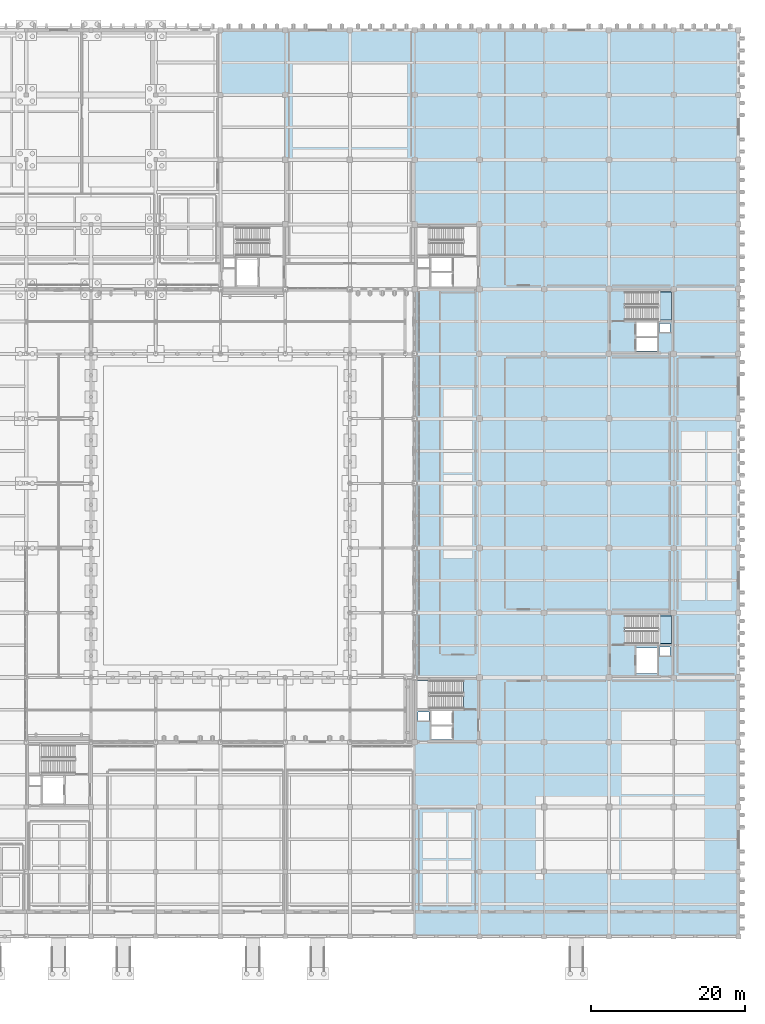
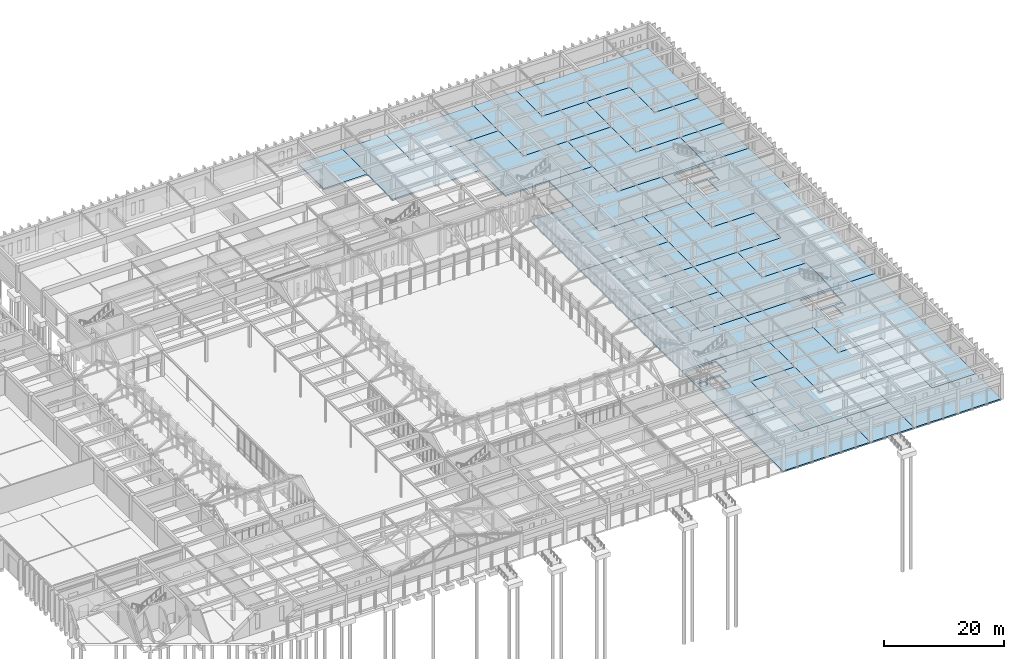
# One storey, part 79 of 143: 27 slabs, 2 elements without a shape of their own.
"""IFC4 building model written with IfcOpenShell, lengths in metres."""

from ifc_helpers import new_model, si_unit, direction, frame, origin, place, context, subcontext, project, spatial, polyline, outline, extrude, material, layer, layer_set, type_object, element, aggregate, save


model = new_model("IFC4")

# Units and contexts
model_context = context("Model", 3, precision=1e-05, world=origin(), true_north=direction((0.0, 1.0)))
body_context = subcontext(model_context, "Body", "Model", "MODEL_VIEW")
ifc_project = project(units=[si_unit("LENGTHUNIT", "METRE"), si_unit("AREAUNIT", "SQUARE_METRE"), si_unit("VOLUMEUNIT", "CUBIC_METRE"), si_unit("PLANEANGLEUNIT", "RADIAN"), si_unit("MASSUNIT", "GRAM", prefix="KILO")], contexts=[model_context])

# Site, building, storey
site_placement = place(None, origin())
site = spatial("IfcSite", under=ifc_project, at=site_placement, CompositionType="ELEMENT")
building_placement = place(site_placement, origin())
building = spatial("IfcBuilding", under=site, at=building_placement, Name="Kveldsbrygga Polytechnic", CompositionType="ELEMENT")
storey_placement = place(building_placement, origin())
storey = spatial("IfcBuildingStorey", under=building, at=storey_placement, Name="L00", CompositionType="ELEMENT", Elevation=0.0)

# Slabs
ifc_material = material(Name="Concrete C35/45", Category="concrete")
ifc_layer_1 = layer(ifc_material, 0.300048828125)
ifc_layer_set_1 = layer_set([ifc_layer_1], Name="Concrete C35/45")
slab_type_1 = type_object("IfcSlabType", Name="SLB-LAB-300", PredefinedType="FLOOR", material=ifc_layer_set_1)
slab_1_placement = place(storey_placement, frame((0.0, 0.0, -0.300048828125)))
element("IfcSlab", 1, at=slab_1_placement, inside=storey, type_object=slab_type_1, Name="Slab SLB-L00-V4-L02-1", PredefinedType="FLOOR", context=body_context, shape_type="SweptSolid", body=[
    extrude(outline(polyline([(109.199951171875, 100.800048828125), (109.199951171875, 109.199951171875), (109.199951171875, 117.60009765625), (117.60009765625, 117.60009765625), (117.60009765625, 109.199951171875), (126.0, 109.199951171875), (126.0, 100.800048828125), (117.60009765625, 100.800048828125), (109.199951171875, 100.800048828125)])), origin(), (0.0, 0.0, 1.0), 0.300048828125),
])
slab_2_placement = place(storey_placement, frame((0.0, 0.0, -0.300048828125)))
element("IfcSlab", 2, at=slab_2_placement, inside=storey, type_object=slab_type_1, Name="Slab SLB-L00-V4-L03-1", PredefinedType="FLOOR", context=body_context, shape_type="SweptSolid", body=[
    extrude(outline(polyline([(126.0, 0.0), (126.0, 8.39990234375), (126.0, 16.800048828125), (134.39990234375, 16.800048828125), (134.39990234375, 8.39990234375), (142.800048828125, 8.39990234375), (142.800048828125, 0.0), (134.39990234375, 0.0), (126.0, 0.0)])), origin(), (0.0, 0.0, 1.0), 0.300048828125),
])
slab_3_placement = place(storey_placement, frame((0.0, 0.0, -0.300048828125)))
element("IfcSlab", 3, at=slab_3_placement, inside=storey, type_object=slab_type_1, Name="Slab SLB-L00-V4-L04-1", PredefinedType="FLOOR", context=body_context, shape_type="SweptSolid", body=[
    extrude(outline(polyline([(126.0, 33.60009765625), (126.0, 42.0), (126.0, 50.39990234375), (134.39990234375, 50.39990234375), (134.39990234375, 42.0), (142.800048828125, 42.0), (142.800048828125, 33.60009765625), (134.39990234375, 33.60009765625), (126.0, 33.60009765625)])), origin(), (0.0, 0.0, 1.0), 0.300048828125),
])
slab_4_placement = place(storey_placement, frame((0.0, 0.0, -0.300048828125)))
element("IfcSlab", 4, at=slab_4_placement, inside=storey, type_object=slab_type_1, Name="Slab SLB-L00-V4-L05-1", PredefinedType="FLOOR", context=body_context, shape_type="SweptSolid", body=[
    extrude(outline(polyline([(126.0, 50.39990234375), (126.0, 58.800048828125), (126.0, 67.199951171875), (134.39990234375, 67.199951171875), (134.39990234375, 58.800048828125), (142.800048828125, 58.800048828125), (142.800048828125, 50.39990234375), (134.39990234375, 50.39990234375), (126.0, 50.39990234375)])), origin(), (0.0, 0.0, 1.0), 0.300048828125),
])
slab_5_placement = place(storey_placement, frame((0.0, 0.0, -0.300048828125)))
element("IfcSlab", 5, at=slab_5_placement, inside=storey, type_object=slab_type_1, Name="Slab SLB-L00-V4-L06-1", PredefinedType="FLOOR", context=body_context, shape_type="SweptSolid", body=[
    extrude(outline(polyline([(126.0, 67.199951171875), (126.0, 75.60009765625), (126.0, 84.0), (134.39990234375, 84.0), (134.39990234375, 75.60009765625), (142.800048828125, 75.60009765625), (142.800048828125, 67.199951171875), (134.39990234375, 67.199951171875), (126.0, 67.199951171875)])), origin(), (0.0, 0.0, 1.0), 0.300048828125),
])
slab_6_placement = place(storey_placement, frame((0.0, 0.0, -0.300048828125)))
element("IfcSlab", 6, at=slab_6_placement, inside=storey, type_object=slab_type_1, Name="Slab SLB-L00-V4-L07-1", PredefinedType="FLOOR", context=body_context, shape_type="SweptSolid", body=[
    extrude(outline(polyline([(126.0, 92.39990234375), (126.0, 100.800048828125), (126.0, 109.199951171875), (134.39990234375, 109.199951171875), (134.39990234375, 100.800048828125), (142.800048828125, 100.800048828125), (142.800048828125, 92.39990234375), (134.39990234375, 92.39990234375), (126.0, 92.39990234375)])), origin(), (0.0, 0.0, 1.0), 0.300048828125),
])
slab_7_placement = place(storey_placement, frame((0.0, 0.0, -0.300048828125)))
element("IfcSlab", 7, at=slab_7_placement, inside=storey, type_object=slab_type_1, Name="Slab SLB-L00-V4-L08-1", PredefinedType="FLOOR", context=body_context, shape_type="SweptSolid", body=[
    extrude(outline(polyline([(134.39990234375, 8.39990234375), (134.39990234375, 16.800048828125), (134.39990234375, 25.199951171875), (142.800048828125, 25.199951171875), (142.800048828125, 16.800048828125), (151.199951171875, 16.800048828125), (151.199951171875, 8.39990234375), (142.800048828125, 8.39990234375), (134.39990234375, 8.39990234375)])), origin(), (0.0, 0.0, 1.0), 0.300048828125),
])
slab_8_placement = place(storey_placement, frame((0.0, 0.0, -0.300048828125)))
element("IfcSlab", 8, at=slab_8_placement, inside=storey, type_object=slab_type_1, Name="Slab SLB-L00-V4-L09-1", PredefinedType="FLOOR", context=body_context, shape_type="SweptSolid", body=[
    extrude(outline(polyline([(134.39990234375, 75.60009765625), (134.39990234375, 84.0), (134.39990234375, 92.39990234375), (142.800048828125, 92.39990234375), (142.800048828125, 84.0), (151.199951171875, 84.0), (151.199951171875, 75.60009765625), (142.800048828125, 75.60009765625), (134.39990234375, 75.60009765625)])), origin(), (0.0, 0.0, 1.0), 0.300048828125),
])
slab_9_placement = place(storey_placement, frame((0.0, 0.0, -0.300048828125)))
element("IfcSlab", 9, at=slab_9_placement, inside=storey, type_object=slab_type_1, Name="Slab SLB-L00-V4-L10-1", PredefinedType="FLOOR", context=body_context, shape_type="SweptSolid", body=[
    extrude(outline(polyline([(134.39990234375, 100.800048828125), (134.39990234375, 109.199951171875), (134.39990234375, 117.60009765625), (142.800048828125, 117.60009765625), (142.800048828125, 109.199951171875), (151.199951171875, 109.199951171875), (151.199951171875, 100.800048828125), (142.800048828125, 100.800048828125), (134.39990234375, 100.800048828125)])), origin(), (0.0, 0.0, 1.0), 0.300048828125),
])
slab_10_placement = place(storey_placement, frame((0.0, 0.0, -0.300048828125)))
element("IfcSlab", 10, at=slab_10_placement, inside=storey, type_object=slab_type_1, Name="Slab SLB-L00-V4-L11-1", PredefinedType="FLOOR", context=body_context, shape_type="SweptSolid", body=[
    extrude(outline(polyline([(142.800048828125, 16.800048828125), (142.800048828125, 25.199951171875), (142.800048828125, 33.60009765625), (151.199951171875, 33.60009765625), (151.199951171875, 25.199951171875), (159.60009765625, 25.199951171875), (159.60009765625, 16.800048828125), (151.199951171875, 16.800048828125), (142.800048828125, 16.800048828125)])), origin(), (0.0, 0.0, 1.0), 0.300048828125),
])
slab_11_placement = place(storey_placement, frame((0.0, 0.0, -0.300048828125)))
element("IfcSlab", 11, at=slab_11_placement, inside=storey, type_object=slab_type_1, Name="Slab SLB-L00-V4-L12-1", PredefinedType="FLOOR", context=body_context, shape_type="SweptSolid", body=[
    extrude(outline(polyline([(142.800048828125, 42.0), (142.800048828125, 50.39990234375), (142.800048828125, 58.800048828125), (151.199951171875, 58.800048828125), (151.199951171875, 50.39990234375), (159.60009765625, 50.39990234375), (159.60009765625, 42.0), (151.199951171875, 42.0), (142.800048828125, 42.0)])), origin(), (0.0, 0.0, 1.0), 0.300048828125),
])
slab_12_placement = place(storey_placement, frame((0.0, 0.0, -0.300048828125)))
element("IfcSlab", 12, at=slab_12_placement, inside=storey, type_object=slab_type_1, Name="Slab SLB-L00-V4-L13-1", PredefinedType="FLOOR", context=body_context, shape_type="SweptSolid", body=[
    extrude(outline(polyline([(142.800048828125, 58.800048828125), (142.800048828125, 67.199951171875), (142.800048828125, 75.60009765625), (151.199951171875, 75.60009765625), (151.199951171875, 67.199951171875), (159.60009765625, 67.199951171875), (159.60009765625, 58.800048828125), (151.199951171875, 58.800048828125), (142.800048828125, 58.800048828125)])), origin(), (0.0, 0.0, 1.0), 0.300048828125),
])
slab_13_placement = place(storey_placement, frame((0.0, 0.0, -0.300048828125)))
element("IfcSlab", 13, at=slab_13_placement, inside=storey, type_object=slab_type_1, Name="Slab SLB-L00-V4-L14-1", PredefinedType="FLOOR", context=body_context, shape_type="SweptSolid", body=[
    extrude(outline(polyline([(142.800048828125, 84.0), (142.800048828125, 92.39990234375), (142.800048828125, 100.800048828125), (151.199951171875, 100.800048828125), (151.199951171875, 92.39990234375), (159.60009765625, 92.39990234375), (159.60009765625, 84.0), (151.199951171875, 84.0), (142.800048828125, 84.0)])), origin(), (0.0, 0.0, 1.0), 0.300048828125),
])
slab_14_placement = place(storey_placement, frame((0.0, 0.0, -0.300048828125)))
element("IfcSlab", 14, at=slab_14_placement, inside=storey, type_object=slab_type_1, Name="Slab SLB-L00-V4-L15-1", PredefinedType="FLOOR", context=body_context, shape_type="SweptSolid", body=[
    extrude(outline(polyline([(151.199951171875, 0.0), (151.199951171875, 8.39990234375), (151.199951171875, 16.800048828125), (159.60009765625, 16.800048828125), (159.60009765625, 8.39990234375), (168.0, 8.39990234375), (168.0, 0.0), (159.60009765625, 0.0), (151.199951171875, 0.0)])), origin(), (0.0, 0.0, 1.0), 0.300048828125),
])
slab_15_placement = place(storey_placement, frame((0.0, 0.0, -0.300048828125)))
element("IfcSlab", 15, at=slab_15_placement, inside=storey, type_object=slab_type_1, Name="Slab SLB-L00-V4-L16-1", PredefinedType="FLOOR", context=body_context, shape_type="SweptSolid", body=[
    extrude(outline(polyline([(151.199951171875, 92.39990234375), (151.199951171875, 100.800048828125), (151.199951171875, 109.199951171875), (159.60009765625, 109.199951171875), (159.60009765625, 100.800048828125), (168.0, 100.800048828125), (168.0, 92.39990234375), (159.60009765625, 92.39990234375), (151.199951171875, 92.39990234375)])), origin(), (0.0, 0.0, 1.0), 0.300048828125),
])
slab_16_placement = place(storey_placement, frame((0.0, 0.0, -0.300048828125)))
element("IfcSlab", 16, at=slab_16_placement, inside=storey, type_object=slab_type_1, Name="Slab SLB-L00-V4-Z3-1", PredefinedType="FLOOR", context=body_context, shape_type="SweptSolid", body=[
    extrude(outline(polyline([(151.199951171875, 8.39990234375), (151.199951171875, 0.0), (142.800048828125, 0.0), (142.800048828125, 8.39990234375), (151.199951171875, 8.39990234375)])), origin(), (0.0, 0.0, 1.0), 0.300048828125),
])
slab_17_placement = place(storey_placement, frame((0.0, 0.0, -0.300048828125)))
element("IfcSlab", 17, at=slab_17_placement, inside=storey, type_object=slab_type_1, Name="Slab SLB-L00-V4-Z3-2", PredefinedType="FLOOR", context=body_context, shape_type="SweptSolid", body=[
    extrude(outline(polyline([(126.0, 33.60009765625), (134.39990234375, 33.60009765625), (142.800048828125, 33.60009765625), (142.800048828125, 25.199951171875), (134.39990234375, 25.199951171875), (134.39990234375, 16.800048828125), (126.0, 16.800048828125), (126.0, 25.199951171875), (126.0, 33.60009765625)]), holes=[polyline([(132.324951171875, 33.199951171875), (126.300048828125, 33.199951171875), (126.300048828125, 29.60009765625), (132.324951171875, 29.60009765625), (132.324951171875, 33.199951171875)]), polyline([(128.14990234375, 25.550048828125), (130.85009765625, 25.550048828125), (130.85009765625, 29.25), (128.14990234375, 29.25), (128.14990234375, 25.550048828125)]), polyline([(126.449951171875, 28.050048828125), (127.85009765625, 28.050048828125), (127.85009765625, 29.14990234375), (126.449951171875, 29.14990234375), (126.449951171875, 28.050048828125)])]), origin(), (0.0, 0.0, 1.0), 0.300048828125),
])
slab_18_placement = place(storey_placement, frame((0.0, 0.0, -0.300048828125)))
element("IfcSlab", 18, at=slab_18_placement, inside=storey, type_object=slab_type_1, Name="Slab SLB-L00-V4-Z3-3", PredefinedType="FLOOR", context=body_context, shape_type="SweptSolid", body=[
    extrude(outline(polyline([(151.199951171875, 25.199951171875), (151.199951171875, 33.60009765625), (142.800048828125, 33.60009765625), (142.800048828125, 42.0), (151.199951171875, 42.0), (159.60009765625, 42.0), (168.0, 42.0), (168.0, 33.60009765625), (168.0, 25.199951171875), (168.0, 16.800048828125), (168.0, 8.39990234375), (159.60009765625, 8.39990234375), (159.60009765625, 16.800048828125), (159.60009765625, 25.199951171875), (151.199951171875, 25.199951171875)]), holes=[polyline([(153.27490234375, 38.0), (159.300048828125, 38.0), (159.300048828125, 41.60009765625), (153.27490234375, 41.60009765625), (153.27490234375, 38.0)]), polyline([(154.75, 34.14990234375), (157.449951171875, 34.14990234375), (157.449951171875, 37.449951171875), (154.75, 37.449951171875), (154.75, 34.14990234375)]), polyline([(157.75, 36.449951171875), (159.14990234375, 36.449951171875), (159.14990234375, 37.550048828125), (157.75, 37.550048828125), (157.75, 36.449951171875)])]), origin(), (0.0, 0.0, 1.0), 0.300048828125),
])
slab_19_placement = place(storey_placement, frame((0.0, 0.0, -0.300048828125)))
element("IfcSlab", 19, at=slab_19_placement, inside=storey, type_object=slab_type_1, Name="Slab SLB-L00-V4-Z6-1", PredefinedType="FLOOR", context=body_context, shape_type="SweptSolid", body=[
    extrude(outline(polyline([(142.800048828125, 50.39990234375), (142.800048828125, 42.0), (134.39990234375, 42.0), (134.39990234375, 50.39990234375), (142.800048828125, 50.39990234375)])), origin(), (0.0, 0.0, 1.0), 0.300048828125),
])
slab_20_placement = place(storey_placement, frame((0.0, 0.0, -0.300048828125)))
element("IfcSlab", 20, at=slab_20_placement, inside=storey, type_object=slab_type_1, Name="Slab SLB-L00-V4-Z6-2", PredefinedType="FLOOR", context=body_context, shape_type="SweptSolid", body=[
    extrude(outline(polyline([(151.199951171875, 50.39990234375), (151.199951171875, 58.800048828125), (159.60009765625, 58.800048828125), (159.60009765625, 67.199951171875), (151.199951171875, 67.199951171875), (151.199951171875, 75.60009765625), (151.199951171875, 84.0), (159.60009765625, 84.0), (168.0, 84.0), (168.0, 75.60009765625), (168.0, 67.199951171875), (168.0, 58.800048828125), (168.0, 50.39990234375), (168.0, 42.0), (159.60009765625, 42.0), (159.60009765625, 50.39990234375), (151.199951171875, 50.39990234375)]), holes=[polyline([(153.27490234375, 80.0), (159.300048828125, 80.0), (159.300048828125, 83.60009765625), (153.27490234375, 83.60009765625), (153.27490234375, 80.0)]), polyline([(154.75, 75.949951171875), (157.449951171875, 75.949951171875), (157.449951171875, 79.64990234375), (154.75, 79.64990234375), (154.75, 75.949951171875)]), polyline([(157.75, 78.449951171875), (159.14990234375, 78.449951171875), (159.14990234375, 79.550048828125), (157.75, 79.550048828125), (157.75, 78.449951171875)])]), origin(), (0.0, 0.0, 1.0), 0.300048828125),
])
slab_21_placement = place(storey_placement, frame((0.0, 0.0, -0.300048828125)))
element("IfcSlab", 21, at=slab_21_placement, inside=storey, type_object=slab_type_1, Name="Slab SLB-L00-V4-Z6-3", PredefinedType="FLOOR", context=body_context, shape_type="SweptSolid", body=[
    extrude(outline(polyline([(142.800048828125, 58.800048828125), (134.39990234375, 58.800048828125), (134.39990234375, 67.199951171875), (142.800048828125, 67.199951171875), (142.800048828125, 58.800048828125)])), origin(), (0.0, 0.0, 1.0), 0.300048828125),
])
slab_22_placement = place(storey_placement, frame((0.0, 0.0, -0.300048828125)))
element("IfcSlab", 22, at=slab_22_placement, inside=storey, type_object=slab_type_1, Name="Slab SLB-L00-V4-Z8-2", PredefinedType="FLOOR", context=body_context, shape_type="SweptSolid", body=[
    extrude(outline(polyline([(100.800048828125, 117.60009765625), (109.199951171875, 117.60009765625), (109.199951171875, 109.199951171875), (100.800048828125, 109.199951171875), (100.800048828125, 117.60009765625)])), origin(), (0.0, 0.0, 1.0), 0.300048828125),
])
slab_23_placement = place(storey_placement, frame((0.0, 0.0, -0.300048828125)))
element("IfcSlab", 23, at=slab_23_placement, inside=storey, type_object=slab_type_1, Name="Slab SLB-L00-V4-Z9-2", PredefinedType="FLOOR", context=body_context, shape_type="SweptSolid", body=[
    extrude(outline(polyline([(168.0, 92.39990234375), (168.0, 84.0), (159.60009765625, 84.0), (159.60009765625, 92.39990234375), (168.0, 92.39990234375)])), origin(), (0.0, 0.0, 1.0), 0.300048828125),
])
slab_24_placement = place(storey_placement, frame((0.0, 0.0, -0.300048828125)))
element("IfcSlab", 24, at=slab_24_placement, inside=storey, type_object=slab_type_1, Name="Slab SLB-L00-V4-Z9-3", PredefinedType="FLOOR", context=body_context, shape_type="SweptSolid", body=[
    extrude(outline(polyline([(168.0, 100.800048828125), (159.60009765625, 100.800048828125), (159.60009765625, 109.199951171875), (151.199951171875, 109.199951171875), (142.800048828125, 109.199951171875), (142.800048828125, 117.60009765625), (151.199951171875, 117.60009765625), (159.60009765625, 117.60009765625), (168.0, 117.60009765625), (168.0, 109.199951171875), (168.0, 100.800048828125)])), origin(), (0.0, 0.0, 1.0), 0.300048828125),
])
slab_25_placement = place(storey_placement, frame((0.0, 0.0, -0.300048828125)))
element("IfcSlab", 25, at=slab_25_placement, inside=storey, type_object=slab_type_1, Name="Slab SLB-L00-V4-Z9-4", PredefinedType="FLOOR", context=body_context, shape_type="SweptSolid", body=[
    extrude(outline(polyline([(126.0, 117.60009765625), (134.39990234375, 117.60009765625), (134.39990234375, 109.199951171875), (126.0, 109.199951171875), (117.60009765625, 109.199951171875), (117.60009765625, 117.60009765625), (126.0, 117.60009765625)])), origin(), (0.0, 0.0, 1.0), 0.300048828125),
])

# Stair, slab
stair_type = type_object("IfcStairType", Name="STR-CORE-544", PredefinedType="HALF_TURN_STAIR", material=ifc_material)
stair_1_placement = place(storey_placement, origin())
stair_1 = element("IfcStair", 26, at=stair_1_placement, inside=storey, type_object=stair_type, Name="L00 Core C3 Escape Stair ST-3", PredefinedType="HALF_TURN_STAIR")
ifc_layer_2 = layer(ifc_material, 0.199951171875)
ifc_layer_set_2 = layer_set([ifc_layer_2], Name="Concrete C35/45")
slab_type_2 = type_object("IfcSlabType", Name="SLB-LANDING-200", PredefinedType="LANDING", material=ifc_layer_set_2)
slab_26_placement = place(storey_placement, frame((0.0, 0.0, 2.52001953125)))
slab_26 = element("IfcSlab", 27, at=slab_26_placement, type_object=slab_type_2, Name="ST-3 landing 1", PredefinedType="LANDING", context=body_context, shape_type="SweptSolid", body=[
    extrude(outline(polyline([(157.60009765625, 38.0), (159.300048828125, 38.0), (159.300048828125, 41.60009765625), (157.60009765625, 41.60009765625), (157.60009765625, 38.0)])), origin(), (0.0, 0.0, 1.0), 0.199951171875),
])
aggregate(stair_1, [slab_26])

stair_2_placement = place(storey_placement, origin())
stair_2 = element("IfcStair", 28, at=stair_2_placement, inside=storey, type_object=stair_type, Name="L00 Core C4 Escape Stair ST-4", PredefinedType="HALF_TURN_STAIR")
slab_27_placement = place(storey_placement, frame((0.0, 0.0, 2.52001953125)))
slab_27 = element("IfcSlab", 29, at=slab_27_placement, type_object=slab_type_2, Name="ST-4 landing 1", PredefinedType="LANDING", context=body_context, shape_type="SweptSolid", body=[
    extrude(outline(polyline([(157.60009765625, 80.0), (159.300048828125, 80.0), (159.300048828125, 83.60009765625), (157.60009765625, 83.60009765625), (157.60009765625, 80.0)])), origin(), (0.0, 0.0, 1.0), 0.199951171875),
])
aggregate(stair_2, [slab_27])

save(model, "model.ifc")
